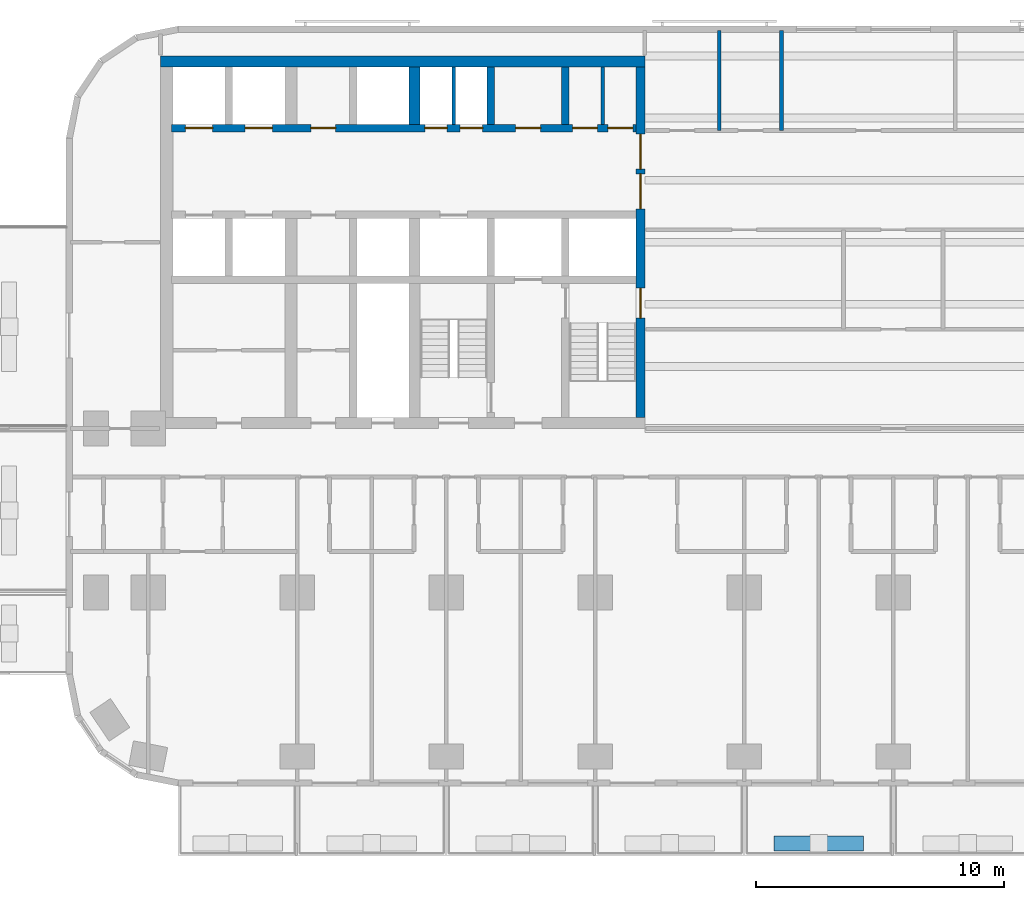
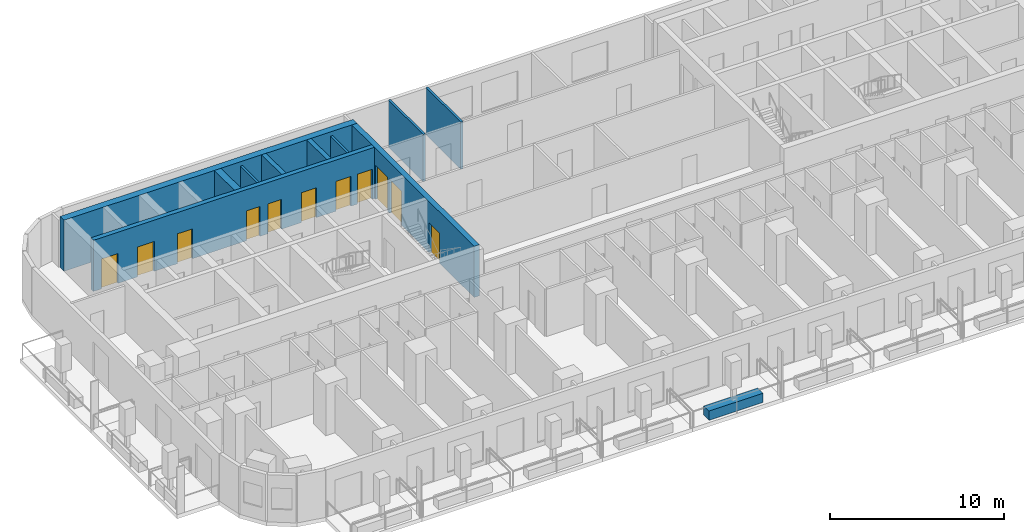
# One storey, part 4 of 15: 11 doors, 11 walls, 11 openings.
"""IFC4 building model written with IfcOpenShell, lengths in metres."""

from ifc_helpers import new_model, si_unit, direction, frame, frame_2d, origin, place, context, subcontext, project, spatial, rectangle, extrude, material, layer, layer_set, type_object, element, fill, save


model = new_model("IFC4")

# Units and contexts
model_context = context("Model", 3, precision=1e-05, world=origin(), true_north=direction((0.0, 1.0)))
body_context = subcontext(model_context, "Body", "Model", "MODEL_VIEW")
ifc_project = project(units=[si_unit("LENGTHUNIT", "METRE"), si_unit("AREAUNIT", "SQUARE_METRE"), si_unit("VOLUMEUNIT", "CUBIC_METRE"), si_unit("PLANEANGLEUNIT", "RADIAN"), si_unit("MASSUNIT", "GRAM", prefix="KILO")], contexts=[model_context])

# Site, building, storey
site_placement = place(None, origin())
site = spatial("IfcSite", under=ifc_project, at=site_placement, CompositionType="ELEMENT")
building_placement = place(site_placement, origin())
building = spatial("IfcBuilding", under=site, at=building_placement, Name="Torana Hotel and Residences", CompositionType="ELEMENT")
storey_placement = place(building_placement, frame((0.0, 0.0, 27.60009765625)))
storey = spatial("IfcBuildingStorey", under=building, at=storey_placement, Name="L05", CompositionType="ELEMENT", Elevation=27.60009765625)

# Wall, openings, doors
ifc_material_1 = material(Name="Concrete C80/95", Category="concrete")
ifc_layer_1 = layer(ifc_material_1, 0.300048828125)
ifc_layer_set_1 = layer_set([ifc_layer_1], Name="CORE WALL 300 C80/95")
wall_type_1 = type_object("IfcWallType", Name="CORE WALL 300 C80/95", PredefinedType="SHEAR", material=ifc_layer_set_1)
wall_1_placement = place(storey_placement, frame((-29.050048828125, -2.89990234375, 0.0), z_axis=(0.0, 0.0, 1.0), x_axis=(1.0, 0.0, 0.0)))
wall_1 = element("IfcWall", 1, at=wall_1_placement, inside=storey, type_object=wall_type_1, Name="Core wall W row-N", PredefinedType="SHEAR", context=body_context, shape_type="SweptSolid", body=[
    extrude(rectangle(XDim=18.699951171875, YDim=0.300048828125, at=frame_2d((9.35009765625, 0.0))), origin(), (0.0, 0.0, 1.0), 3.599853515625),
])
opening_1_placement = place(wall_1_placement, frame((2.949951171875, 0.0, 0.0)))
opening_1 = element("IfcOpeningElement", 2, at=opening_1_placement, cuts=wall_1, Name="Opening LD", PredefinedType="OPENING", context=body_context, shape_type="SweptSolid", body=[
    extrude(rectangle(XDim=1.10009765625, YDim=2.10009765625, at=frame_2d((0.550048828125, 1.050048828125))), frame((0.0, 0.159912109375, 0.0), z_axis=(0.0, -1.0, 0.0), x_axis=(1.0, 0.0, 0.0)), (0.0, 0.0, 1.0), 0.320068359375),
])
opening_2_placement = place(wall_1_placement, frame((0.550048828125, 0.0, 0.0)))
opening_2 = element("IfcOpeningElement", 3, at=opening_2_placement, cuts=wall_1, Name="Opening LD", PredefinedType="OPENING", context=body_context, shape_type="SweptSolid", body=[
    extrude(rectangle(XDim=1.10009765625, YDim=2.10009765625, at=frame_2d((0.550048828125, 1.050048828125))), frame((0.0, 0.159912109375, 0.0), z_axis=(0.0, -1.0, 0.0), x_axis=(1.0, 0.0, 0.0)), (0.0, 0.0, 1.0), 0.320068359375),
])
opening_3_placement = place(wall_1_placement, frame((11.612548828125, 0.0, 0.0)))
opening_3 = element("IfcOpeningElement", 4, at=opening_3_placement, cuts=wall_1, Name="Opening L05-09", PredefinedType="OPENING", context=body_context, shape_type="SweptSolid", body=[
    extrude(rectangle(XDim=0.89990234375, YDim=2.10009765625, at=frame_2d((0.449951171875, 1.050048828125))), frame((0.0, 0.159912109375, 0.0), z_axis=(0.0, -1.0, 0.0), x_axis=(1.0, 0.0, 0.0)), (0.0, 0.0, 1.0), 0.320068359375),
])
opening_4_placement = place(wall_1_placement, frame((10.1875, 0.0, 0.0)))
opening_4 = element("IfcOpeningElement", 5, at=opening_4_placement, cuts=wall_1, Name="Opening L05-10", PredefinedType="OPENING", context=body_context, shape_type="SweptSolid", body=[
    extrude(rectangle(XDim=0.89990234375, YDim=2.10009765625, at=frame_2d((0.449951171875, 1.050048828125))), frame((0.0, 0.159912109375, 0.0), z_axis=(0.0, -1.0, 0.0), x_axis=(1.0, 0.0, 0.0)), (0.0, 0.0, 1.0), 0.320068359375),
])
opening_5_placement = place(wall_1_placement, frame((17.5625, 0.0, 0.0)))
opening_5 = element("IfcOpeningElement", 6, at=opening_5_placement, cuts=wall_1, Name="Opening L05-11", PredefinedType="OPENING", context=body_context, shape_type="SweptSolid", body=[
    extrude(rectangle(XDim=1.0, YDim=2.10009765625, at=frame_2d((0.5, 1.050048828125))), frame((0.0, 0.159912109375, 0.0), z_axis=(0.0, -1.0, 0.0), x_axis=(1.0, 0.0, 0.0)), (0.0, 0.0, 1.0), 0.320068359375),
])
opening_6_placement = place(wall_1_placement, frame((16.137451171875, 0.0, 0.0)))
opening_6 = element("IfcOpeningElement", 7, at=opening_6_placement, cuts=wall_1, Name="Opening L05-12", PredefinedType="OPENING", context=body_context, shape_type="SweptSolid", body=[
    extrude(rectangle(XDim=1.0, YDim=2.10009765625, at=frame_2d((0.5, 1.050048828125))), frame((0.0, 0.159912109375, 0.0), z_axis=(0.0, -1.0, 0.0), x_axis=(1.0, 0.0, 0.0)), (0.0, 0.0, 1.0), 0.320068359375),
])
opening_7_placement = place(wall_1_placement, frame((13.85009765625, 0.0, 0.0)))
opening_7 = element("IfcOpeningElement", 8, at=opening_7_placement, cuts=wall_1, Name="Opening L05-13", PredefinedType="OPENING", context=body_context, shape_type="SweptSolid", body=[
    extrude(rectangle(XDim=1.0, YDim=2.10009765625, at=frame_2d((0.5, 1.050048828125))), frame((0.0, 0.159912109375, 0.0), z_axis=(0.0, -1.0, 0.0), x_axis=(1.0, 0.0, 0.0)), (0.0, 0.0, 1.0), 0.320068359375),
])
opening_8_placement = place(wall_1_placement, frame((5.60009765625, 0.0, 0.0)))
opening_8 = element("IfcOpeningElement", 9, at=opening_8_placement, cuts=wall_1, Name="Opening L05-14", PredefinedType="OPENING", context=body_context, shape_type="SweptSolid", body=[
    extrude(rectangle(XDim=1.0, YDim=2.10009765625, at=frame_2d((0.5, 1.050048828125))), frame((0.0, 0.159912109375, 0.0), z_axis=(0.0, -1.0, 0.0), x_axis=(1.0, 0.0, 0.0)), (0.0, 0.0, 1.0), 0.320068359375),
])
ifc_material_2 = material(Name="Steel S235", Category="steel")
door_type_1 = type_object("IfcDoorType", Name="CORE ROOM FIRE DOOR D14 1000x2100", OperationType="SINGLE_SWING_LEFT", PredefinedType="DOOR", material=ifc_material_2)
door_1_placement = place(opening_5_placement, origin())
door_1 = element("IfcDoor", 10, at=door_1_placement, inside=storey, type_object=door_type_1, Name="N0A door L05", OperationType="SINGLE_SWING_RIGHT", OverallHeight=2.10009765625, OverallWidth=1.0, PredefinedType="DOOR", context=body_context, shape_type="SweptSolid", body=[
    extrude(rectangle(XDim=1.0, YDim=2.10009765625, at=frame_2d((0.5, 1.050048828125))), frame((0.0, 0.02490234375, 0.0), z_axis=(0.0, -1.0, 0.0), x_axis=(1.0, 0.0, 0.0)), (0.0, 0.0, 1.0), 0.050048828125),
])
fill(opening_5, door_1)
door_2_placement = place(opening_6_placement, origin())
door_2 = element("IfcDoor", 11, at=door_2_placement, inside=storey, type_object=door_type_1, Name="N0B door L05", OperationType="SINGLE_SWING_RIGHT", OverallHeight=2.10009765625, OverallWidth=1.0, PredefinedType="DOOR", context=body_context, shape_type="SweptSolid", body=[
    extrude(rectangle(XDim=1.0, YDim=2.10009765625, at=frame_2d((0.5, 1.050048828125))), frame((0.0, 0.02490234375, 0.0), z_axis=(0.0, -1.0, 0.0), x_axis=(1.0, 0.0, 0.0)), (0.0, 0.0, 1.0), 0.050048828125),
])
fill(opening_6, door_2)
door_3_placement = place(opening_7_placement, origin())
door_3 = element("IfcDoor", 12, at=door_3_placement, inside=storey, type_object=door_type_1, Name="N1 door L05", OperationType="SINGLE_SWING_RIGHT", OverallHeight=2.10009765625, OverallWidth=1.0, PredefinedType="DOOR", context=body_context, shape_type="SweptSolid", body=[
    extrude(rectangle(XDim=1.0, YDim=2.10009765625, at=frame_2d((0.5, 1.050048828125))), frame((0.0, 0.02490234375, 0.0), z_axis=(0.0, -1.0, 0.0), x_axis=(1.0, 0.0, 0.0)), (0.0, 0.0, 1.0), 0.050048828125),
])
fill(opening_7, door_3)
door_4_placement = place(opening_8_placement, origin())
door_4 = element("IfcDoor", 13, at=door_4_placement, inside=storey, type_object=door_type_1, Name="Free-M1 door L05", OperationType="SINGLE_SWING_RIGHT", OverallHeight=2.10009765625, OverallWidth=1.0, PredefinedType="DOOR", context=body_context, shape_type="SweptSolid", body=[
    extrude(rectangle(XDim=1.0, YDim=2.10009765625, at=frame_2d((0.5, 1.050048828125))), frame((0.0, 0.02490234375, 0.0), z_axis=(0.0, -1.0, 0.0), x_axis=(1.0, 0.0, 0.0)), (0.0, 0.0, 1.0), 0.050048828125),
])
fill(opening_8, door_4)
ifc_material_3 = material(Name="Stainless steel 316", Category="steel")
door_type_2 = type_object("IfcDoorType", Name="LIFT LANDING DOOR LD 1100x2100", OperationType="DOUBLE_DOOR_SLIDING", PredefinedType="USERDEFINED", material=ifc_material_3)
door_5_placement = place(opening_1_placement, origin())
door_5 = element("IfcDoor", 14, at=door_5_placement, inside=storey, type_object=door_type_2, Name="Lift landing door L1 L05", ObjectType="LIFT LANDING DOOR", OperationType="DOUBLE_DOOR_SLIDING", OverallHeight=2.10009765625, OverallWidth=1.10009765625, PredefinedType="USERDEFINED", context=body_context, shape_type="SweptSolid", body=[
    extrude(rectangle(XDim=1.10009765625, YDim=2.10009765625, at=frame_2d((0.550048828125, 1.050048828125))), frame((0.0, 0.02490234375, 0.0), z_axis=(0.0, -1.0, 0.0), x_axis=(1.0, 0.0, 0.0)), (0.0, 0.0, 1.0), 0.050048828125),
])
fill(opening_1, door_5)
door_6_placement = place(opening_2_placement, origin())
door_6 = element("IfcDoor", 15, at=door_6_placement, inside=storey, type_object=door_type_2, Name="Lift landing door L2 L05", ObjectType="LIFT LANDING DOOR", OperationType="DOUBLE_DOOR_SLIDING", OverallHeight=2.10009765625, OverallWidth=1.10009765625, PredefinedType="USERDEFINED", context=body_context, shape_type="SweptSolid", body=[
    extrude(rectangle(XDim=1.10009765625, YDim=2.10009765625, at=frame_2d((0.550048828125, 1.050048828125))), frame((0.0, 0.02490234375, 0.0), z_axis=(0.0, -1.0, 0.0), x_axis=(1.0, 0.0, 0.0)), (0.0, 0.0, 1.0), 0.050048828125),
])
fill(opening_2, door_6)
ifc_material_4 = material(Name="Steel S235", Category="steel")
door_type_3 = type_object("IfcDoorType", Name="RISER ACCESS DOOR D5 900x2100", OperationType="SINGLE_SWING_LEFT", PredefinedType="DOOR", material=ifc_material_4)
door_7_placement = place(opening_3_placement, origin())
door_7 = element("IfcDoor", 16, at=door_7_placement, inside=storey, type_object=door_type_3, Name="N2A door L05", OperationType="SINGLE_SWING_RIGHT", OverallHeight=2.10009765625, OverallWidth=0.89990234375, PredefinedType="DOOR", context=body_context, shape_type="SweptSolid", body=[
    extrude(rectangle(XDim=0.89990234375, YDim=2.10009765625, at=frame_2d((0.449951171875, 1.050048828125))), frame((0.0, 0.02490234375, 0.0), z_axis=(0.0, -1.0, 0.0), x_axis=(1.0, 0.0, 0.0)), (0.0, 0.0, 1.0), 0.050048828125),
])
fill(opening_3, door_7)
door_8_placement = place(opening_4_placement, origin())
door_8 = element("IfcDoor", 17, at=door_8_placement, inside=storey, type_object=door_type_3, Name="N2B door L05", OperationType="SINGLE_SWING_RIGHT", OverallHeight=2.10009765625, OverallWidth=0.89990234375, PredefinedType="DOOR", context=body_context, shape_type="SweptSolid", body=[
    extrude(rectangle(XDim=0.89990234375, YDim=2.10009765625, at=frame_2d((0.449951171875, 1.050048828125))), frame((0.0, 0.02490234375, 0.0), z_axis=(0.0, -1.0, 0.0), x_axis=(1.0, 0.0, 0.0)), (0.0, 0.0, 1.0), 0.050048828125),
])
fill(opening_4, door_8)

# Walls
for number, where, z_axis, x_axis, name in (
    (18, (-13.199951171875, -2.75, 0.0), (0.0, 0.0, 1.0), (0.0, 1.0, 0.0), "Core wall W x3.05-N"),
    (19, (-16.199951171875, -2.75, 0.0), (0.0, 0.0, 1.0), (0.0, 1.0, 0.0), "Core wall W x6.05-N"),
):
    element("IfcWall", number, at=place(storey_placement, frame(where, z_axis=z_axis, x_axis=x_axis)), inside=storey, type_object=wall_type_1, Name=name, PredefinedType="SHEAR", context=body_context, shape_type="SweptSolid", body=[
        extrude(rectangle(XDim=2.300048828125, YDim=0.300048828125, at=frame_2d((1.14990234375, 0.0))), origin(), (0.0, 0.0, 1.0), 3.599853515625),
    ])

# Wall, openings, doors
ifc_material_5 = material(Name="Concrete C80/95", Category="concrete")
ifc_layer_2 = layer(ifc_material_5, 0.35009765625)
ifc_layer_set_2 = layer_set([ifc_layer_2], Name="CORE WALL 350 C80/95")
wall_type_2 = type_object("IfcWallType", Name="CORE WALL 350 C80/95", PredefinedType="SHEAR", material=ifc_layer_set_2)
wall_2_placement = place(storey_placement, frame((-10.175048828125, -14.550048828125, 0.0), z_axis=(0.0, 0.0, 1.0), x_axis=(0.0, 1.0, 0.0)))
wall_2 = element("IfcWall", 20, at=wall_2_placement, inside=storey, type_object=wall_type_2, Name="Core wall W arch", PredefinedType="SHEAR", context=body_context, shape_type="SweptSolid", body=[
    extrude(rectangle(XDim=14.10009765625, YDim=0.35009765625, at=frame_2d((7.050048828125, 0.0))), origin(), (0.0, 0.0, 1.0), 3.599853515625),
])
opening_9_placement = place(wall_2_placement, frame((8.39990234375, 0.0, 0.0)))
opening_9 = element("IfcOpeningElement", 21, at=opening_9_placement, cuts=wall_2, Name="Opening L05-01", PredefinedType="OPENING", context=body_context, shape_type="SweptSolid", body=[
    extrude(rectangle(XDim=1.39990234375, YDim=2.39990234375, at=frame_2d((0.699951171875, 1.199951171875))), frame((0.0, 0.18505859375, 0.0), z_axis=(0.0, -1.0, 0.0), x_axis=(1.0, 0.0, 0.0)), (0.0, 0.0, 1.0), 0.3701171875),
])
opening_10_placement = place(wall_2_placement, frame((10.0, 0.0, 0.0)))
opening_10 = element("IfcOpeningElement", 22, at=opening_10_placement, cuts=wall_2, Name="Opening L05-02", PredefinedType="OPENING", context=body_context, shape_type="SweptSolid", body=[
    extrude(rectangle(XDim=1.39990234375, YDim=2.39990234375, at=frame_2d((0.699951171875, 1.199951171875))), frame((0.0, 0.18505859375, 0.0), z_axis=(0.0, -1.0, 0.0), x_axis=(1.0, 0.0, 0.0)), (0.0, 0.0, 1.0), 0.3701171875),
])
opening_11_placement = place(wall_2_placement, frame((4.0, 0.0, 0.0)))
opening_11 = element("IfcOpeningElement", 23, at=opening_11_placement, cuts=wall_2, Name="Opening L05-03", PredefinedType="OPENING", context=body_context, shape_type="SweptSolid", body=[
    extrude(rectangle(XDim=1.199951171875, YDim=2.10009765625, at=frame_2d((0.60009765625, 1.050048828125))), frame((0.0, 0.18505859375, 0.0), z_axis=(0.0, -1.0, 0.0), x_axis=(1.0, 0.0, 0.0)), (0.0, 0.0, 1.0), 0.3701171875),
])
ifc_material_6 = material(Name="Steel S235", Category="steel")
door_type_4 = type_object("IfcDoorType", Name="LOBBY FIRE DOOR D4 1400x2400", OperationType="DOUBLE_DOOR_SINGLE_SWING", PredefinedType="DOOR", material=ifc_material_6)
door_9_placement = place(opening_9_placement, origin())
door_9 = element("IfcDoor", 24, at=door_9_placement, inside=storey, type_object=door_type_4, Name="Lobby-1 door L05", OperationType="DOUBLE_DOOR_SINGLE_SWING", OverallHeight=2.39990234375, OverallWidth=1.39990234375, PredefinedType="DOOR", context=body_context, shape_type="SweptSolid", body=[
    extrude(rectangle(XDim=1.39990234375, YDim=2.39990234375, at=frame_2d((0.699951171875, 1.199951171875))), frame((0.0, 0.02490234375, 0.0), z_axis=(0.0, -1.0, 0.0), x_axis=(1.0, 0.0, 0.0)), (0.0, 0.0, 1.0), 0.050048828125),
])
fill(opening_9, door_9)
door_10_placement = place(opening_10_placement, origin())
door_10 = element("IfcDoor", 25, at=door_10_placement, inside=storey, type_object=door_type_4, Name="Lobby-2 door L05", OperationType="DOUBLE_DOOR_SINGLE_SWING", OverallHeight=2.39990234375, OverallWidth=1.39990234375, PredefinedType="DOOR", context=body_context, shape_type="SweptSolid", body=[
    extrude(rectangle(XDim=1.39990234375, YDim=2.39990234375, at=frame_2d((0.699951171875, 1.199951171875))), frame((0.0, 0.02490234375, 0.0), z_axis=(0.0, -1.0, 0.0), x_axis=(1.0, 0.0, 0.0)), (0.0, 0.0, 1.0), 0.050048828125),
])
fill(opening_10, door_10)
ifc_material_7 = material(Name="Steel S235", Category="steel")
door_type_5 = type_object("IfcDoorType", Name="STAIR FIRE DOOR D3 1200x2100", OperationType="SINGLE_SWING_LEFT", PredefinedType="DOOR", material=ifc_material_7)
door_11_placement = place(opening_11_placement, origin())
door_11 = element("IfcDoor", 26, at=door_11_placement, inside=storey, type_object=door_type_5, Name="Stair-A door L05", OperationType="SINGLE_SWING_LEFT", OverallHeight=2.10009765625, OverallWidth=1.199951171875, PredefinedType="DOOR", context=body_context, shape_type="SweptSolid", body=[
    extrude(rectangle(XDim=1.199951171875, YDim=2.10009765625, at=frame_2d((0.60009765625, 1.050048828125))), frame((0.0, 0.02490234375, 0.0), z_axis=(0.0, -1.0, 0.0), x_axis=(1.0, 0.0, 0.0)), (0.0, 0.0, 1.0), 0.050048828125),
])
fill(opening_11, door_11)

# Walls
ifc_material_8 = material(Name="Concrete C80/95", Category="concrete")
ifc_layer_3 = layer(ifc_material_8, 0.449951171875)
ifc_layer_set_3 = layer_set([ifc_layer_3], Name="CORE WALL 450 C80/95")
wall_type_3 = type_object("IfcWallType", Name="CORE WALL 450 C80/95", PredefinedType="SHEAR", material=ifc_layer_set_3)
wall_3_placement = place(storey_placement, frame((-29.5, -0.22509765625, 0.0), z_axis=(0.0, 0.0, 1.0), x_axis=(1.0, 0.0, 0.0)))
element("IfcWall", 27, at=wall_3_placement, inside=storey, type_object=wall_type_3, Name="Core wall W rear", PredefinedType="SHEAR", context=body_context, shape_type="SweptSolid", body=[
    extrude(rectangle(XDim=19.5, YDim=0.449951171875, at=frame_2d((9.75, 0.0))), origin(), (0.0, 0.0, 1.0), 3.599853515625),
])
wall_4_placement = place(storey_placement, frame((-19.27490234375, -2.75, 0.0), z_axis=(0.0, 0.0, 1.0), x_axis=(0.0, 1.0, 0.0)))
element("IfcWall", 28, at=wall_4_placement, inside=storey, type_object=wall_type_3, Name="Core wall W hm-N", PredefinedType="SHEAR", context=body_context, shape_type="SweptSolid", body=[
    extrude(rectangle(XDim=2.300048828125, YDim=0.449951171875, at=frame_2d((1.14990234375, 0.0))), origin(), (0.0, 0.0, 1.0), 3.599853515625),
])
ifc_material_9 = material(Name="Gypsum plaster")
ifc_layer_4 = layer(ifc_material_9, 0.014892578125, Name="Plaster", Category="finish")
ifc_material_10 = material(Name="Concrete blockwork", Category="masonry")
ifc_layer_5 = layer(ifc_material_10, 0.1201171875, Name="Blockwork", Category="structure")
ifc_layer_6 = layer(ifc_material_9, 0.014892578125, Name="Plaster", Category="finish")
ifc_layer_set_4 = layer_set([ifc_layer_4, ifc_layer_5, ifc_layer_6], Name="FIRE PARTITION 150 BLOCKWORK")
wall_type_4 = type_object("IfcWallType", Name="FIRE PARTITION 150 BLOCKWORK", PredefinedType="PARTITIONING", material=ifc_layer_set_4)
for number, where, z_axis, x_axis, name in (
    (29, (-17.699951171875, -2.75, 0.0), (0.0, 0.0, 1.0), (0.0, 1.0, 0.0), "Core partition L05"),
    (30, (-11.699951171875, -2.75, 0.0), (0.0, 0.0, 1.0), (0.0, 1.0, 0.0), "Core partition L05"),
):
    element("IfcWall", number, at=place(storey_placement, frame(where, z_axis=z_axis, x_axis=x_axis)), inside=storey, type_object=wall_type_4, Name=name, PredefinedType="PARTITIONING", context=body_context, shape_type="SweptSolid", body=[
        extrude(rectangle(XDim=2.300048828125, YDim=0.14990234375, at=frame_2d((1.14990234375, 0.0))), origin(), (0.0, 0.0, 1.0), 3.2998046875),
    ])
ifc_material_11 = material(Name="Concrete C40/50 precast", Category="concrete")
ifc_layer_7 = layer(ifc_material_11, 0.10009765625, Name="Planter shell", Category="structure")
ifc_material_12 = material(Name="Root resistant membrane")
ifc_layer_8 = layer(ifc_material_12, 0.00390625, Name="Waterproofing membrane", Category="membrane")
ifc_material_13 = material(Name="Drainage board with filter fleece")
ifc_layer_9 = layer(ifc_material_13, 0.02001953125, Name="Drainage board", Category="drainage")
ifc_material_14 = material(Name="Growing medium")
ifc_layer_10 = layer(ifc_material_14, 0.47607421875, Name="Planting substrate", Category="soil")
ifc_layer_set_5 = layer_set([ifc_layer_7, ifc_layer_8, ifc_layer_9, ifc_layer_10], Name="PL1 BALCONY PLANTER 600")
wall_type_5 = type_object("IfcWallType", Name="PL1 BALCONY PLANTER 600", PredefinedType="USERDEFINED", material=ifc_layer_set_5)
wall_5_placement = place(storey_placement, frame((-1.199951171875, -31.699951171875, 0.0), z_axis=(0.0, 0.0, 1.0), x_axis=(-1.0, 0.0, 0.0)))
element("IfcWall", 31, at=wall_5_placement, inside=storey, type_object=wall_type_5, Name="Planter 05", ObjectType="PLANTER", PredefinedType="USERDEFINED", context=body_context, shape_type="SweptSolid", body=[
    extrude(rectangle(XDim=3.60009765625, YDim=0.60009765625, at=frame_2d((1.800048828125, 0.0))), origin(), (0.0, 0.0, 1.0), 0.64990234375),
])
ifc_material_15 = material(Name="Ceramic tile on adhesive")
ifc_layer_11 = layer(ifc_material_15, 0.010009765625, Name="Wall tile", Category="finish")
ifc_material_16 = material(Name="Cement render")
ifc_layer_12 = layer(ifc_material_16, 0.010009765625, Name="Render", Category="finish")
ifc_layer_13 = layer(ifc_material_10, 0.110107421875, Name="Blockwork", Category="structure")
ifc_layer_14 = layer(ifc_material_16, 0.010009765625, Name="Render", Category="finish")
ifc_layer_15 = layer(ifc_material_15, 0.010009765625, Name="Wall tile", Category="finish")
ifc_layer_set_6 = layer_set([ifc_layer_11, ifc_layer_12, ifc_layer_13, ifc_layer_14, ifc_layer_15], Name="WC PARTITION 150")
wall_type_6 = type_object("IfcWallType", Name="WC PARTITION 150", PredefinedType="PLUMBINGWALL", material=ifc_layer_set_6)
for number, where, z_axis, x_axis, name in (
    (32, (-4.5, -3.0, 0.0), (0.0, 0.0, 1.0), (0.0, 1.0, 0.0), "Partition L05"),
    (33, (-7.0, -3.0, 0.0), (0.0, 0.0, 1.0), (0.0, 1.0, 0.0), "Partition L05"),
):
    element("IfcWall", number, at=place(storey_placement, frame(where, z_axis=z_axis, x_axis=x_axis)), inside=storey, type_object=wall_type_6, Name=name, PredefinedType="PLUMBINGWALL", context=body_context, shape_type="SweptSolid", body=[
        extrude(rectangle(XDim=4.02001953125, YDim=0.14990234375, at=frame_2d((2.010009765625, 0.0))), origin(), (0.0, 0.0, 1.0), 3.31982421875),
    ])

save(model, "model.ifc")
